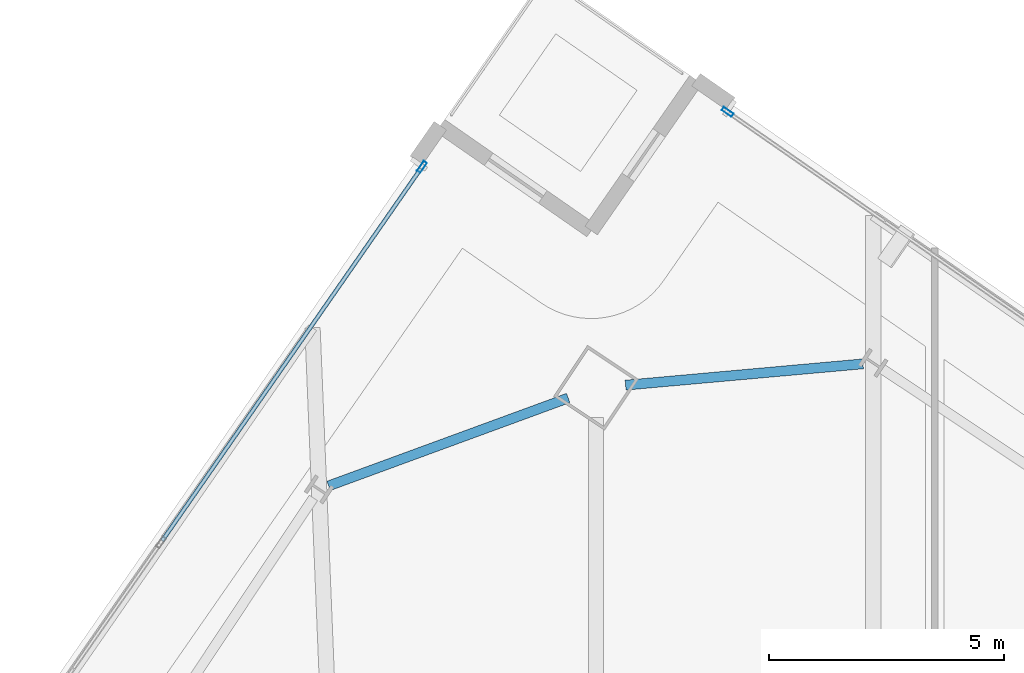
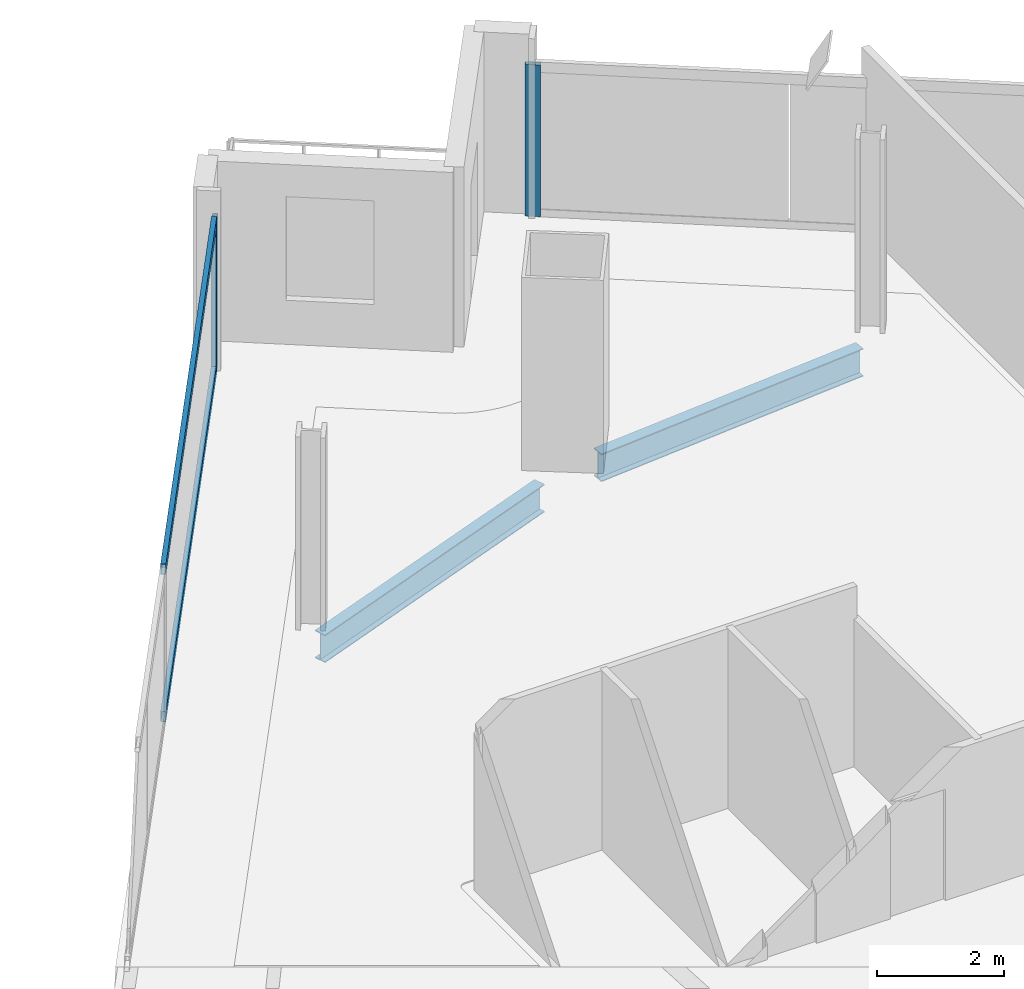
# One storey, part 16 of 30: 4 members, 2 beams, 2 elements without a shape of their own.
"""IFC4 building model written with IfcOpenShell, lengths in metres."""

from ifc_helpers import new_model, si_unit, direction, frame, origin, origin_2d, place, context, subcontext, project, spatial, hollow_rectangle, i_section, extrude, material, material_profile, profile_set, type_object, element, aggregate, save


model = new_model("IFC4")

# Units and contexts
model_context = context("Model", 3, precision=1e-05, world=origin(), true_north=direction((0.0, 1.0)))
body_context = subcontext(model_context, "Body", "Model", "MODEL_VIEW")
ifc_project = project(units=[si_unit("LENGTHUNIT", "METRE"), si_unit("AREAUNIT", "SQUARE_METRE"), si_unit("VOLUMEUNIT", "CUBIC_METRE"), si_unit("PLANEANGLEUNIT", "RADIAN"), si_unit("MASSUNIT", "GRAM", prefix="KILO")], contexts=[model_context])

# Site, building, storey
site_placement = place(None, origin())
site = spatial("IfcSite", under=ifc_project, at=site_placement, CompositionType="ELEMENT")
building_placement = place(site_placement, origin())
building = spatial("IfcBuilding", under=site, at=building_placement, Name="Haldenkirk Collegiate Tower", CompositionType="ELEMENT")
storey_placement = place(building_placement, frame((0.0, 0.0, 213.449951171875)))
storey = spatial("IfcBuildingStorey", under=building, at=storey_placement, Name="L53", CompositionType="ELEMENT", Elevation=213.449951171875)

# Beams
ifc_material_1 = material(Name="Steel ASTM A992 Grade 50", Category="steel")
ifc_material_profile_1 = material_profile(ifc_material_1, i_section(OverallWidth=0.2099609375, OverallDepth=0.537109375, WebThickness=0.010986328125, FlangeThickness=0.017333984375, at=origin_2d()), Name="W21X68")
ifc_profile_set_1 = profile_set([ifc_material_profile_1], Name="Steel ASTM A992 Grade 50")
beam_type = type_object("IfcBeamType", Name="BM-SPANDREL-W21X68", PredefinedType="SPANDREL", material=ifc_profile_set_1)
beam_1_placement = place(storey_placement, frame((37.9765625, 50.649169921875, -0.54833984375), z_axis=(-0.996001224794, -0.089339578066, 0.0), x_axis=(0.089339578066, -0.996001224794, 0.0)))
element("IfcBeam", 1, at=beam_1_placement, inside=storey, type_object=beam_type, Name="L53 perimeter spandrel beam 08", PredefinedType="SPANDREL", context=body_context, shape_type="SweptSolid", body=[
    extrude(i_section(OverallWidth=0.2099609375, OverallDepth=0.537109375, WebThickness=0.010986328125, FlangeThickness=0.017333984375, at=origin_2d()), origin(), (0.0, 0.0, 1.0), 5.06103515625),
])
beam_2_placement = place(storey_placement, frame((31.716796875, 49.923828125, -0.54833984375), z_axis=(-0.938842319963, -0.344347351153, 0.0), x_axis=(0.344347351153, -0.938842319963, 0.0)))
element("IfcBeam", 2, at=beam_2_placement, inside=storey, type_object=beam_type, Name="L53 perimeter spandrel beam 09", PredefinedType="SPANDREL", context=body_context, shape_type="SweptSolid", body=[
    extrude(i_section(OverallWidth=0.2099609375, OverallDepth=0.537109375, WebThickness=0.010986328125, FlangeThickness=0.017333984375, at=origin_2d()), origin(), (0.0, 0.0, 1.0), 5.416748046875),
])

# Curtain wall, member
ifc_material_2 = material(Name="Anodised architectural bronze aluminium", Category="aluminium")
curtain_wall_type = type_object("IfcCurtainWallType", Name="CW-SYS1B-CONVEX-HI", PredefinedType="USERDEFINED", material=ifc_material_2)
curtain_wall_1_placement = place(storey_placement, origin())
curtain_wall_1 = element("IfcCurtainWall", 3, at=curtain_wall_1_placement, inside=storey, type_object=curtain_wall_type, Name="L53 Upper tower high-wind convex bronze unitised curtain wall", ObjectType="UNITISED CURTAIN WALL", PredefinedType="USERDEFINED")
ifc_material_profile_2 = material_profile(ifc_material_2, hollow_rectangle(XDim=0.0849609375, YDim=0.25, WallThickness=0.0048828125, at=origin_2d()), Name="CW-MUL-1B")
ifc_profile_set_2 = profile_set([ifc_material_profile_2], Name="Anodised architectural bronze aluminium")
member_type_1 = type_object("IfcMemberType", Name="CW-MUL-1B", PredefinedType="MULLION", material=ifc_profile_set_2)
member_1_placement = place(storey_placement, frame((35.101806640625, 55.99755859375, 0.0), z_axis=(0.0, 0.0, 1.0), x_axis=(0.570713325478, 0.821149377472, 0.0)))
member_1 = element("IfcMember", 4, at=member_1_placement, type_object=member_type_1, Name="CW-1B mullion 1", PredefinedType="MULLION", context=body_context, shape_type="SweptSolid", body=[
    extrude(hollow_rectangle(XDim=0.0849609375, YDim=0.25, WallThickness=0.0048828125, at=origin_2d()), origin(), (0.0, 0.0, 1.0), 2.927978515625),
])
aggregate(curtain_wall_1, [member_1])

# Curtain wall, members
curtain_wall_2_placement = place(storey_placement, origin())
curtain_wall_2 = element("IfcCurtainWall", 5, at=curtain_wall_2_placement, inside=storey, type_object=curtain_wall_type, Name="L53 Upper tower high-wind convex bronze unitised curtain wall", ObjectType="UNITISED CURTAIN WALL", PredefinedType="USERDEFINED")
member_2_placement = place(storey_placement, frame((28.612548828125, 54.830078125, 0.0), z_axis=(0.0, 0.0, 1.0), x_axis=(-0.82114819766, 0.570715023002, 0.0)))
member_2 = element("IfcMember", 6, at=member_2_placement, type_object=member_type_1, Name="CW-1B mullion 5", PredefinedType="MULLION", context=body_context, shape_type="SweptSolid", body=[
    extrude(hollow_rectangle(XDim=0.0849609375, YDim=0.25, WallThickness=0.0048828125, at=origin_2d()), origin(), (0.0, 0.0, 1.0), 2.927978515625),
])
ifc_material_profile_3 = material_profile(ifc_material_2, hollow_rectangle(XDim=0.0849609375, YDim=0.199951171875, WallThickness=0.0048828125, at=origin_2d()), Name="CW-TRN-1B")
ifc_profile_set_3 = profile_set([ifc_material_profile_3], Name="Anodised architectural bronze aluminium")
member_type_2 = type_object("IfcMemberType", Name="CW-TRN-1B", PredefinedType="USERDEFINED", material=ifc_profile_set_3)
member_3_placement = place(storey_placement, frame((23.096435546875, 46.8935546875, 0.04248046875), z_axis=(0.570709102812, 0.821152312283, 0.0), x_axis=(-0.821152312283, 0.570709102812, 0.0)))
member_3 = element("IfcMember", 7, at=member_3_placement, type_object=member_type_2, Name="CW-1B transom 4.1", ObjectType="TRANSOM", PredefinedType="USERDEFINED", context=body_context, shape_type="SweptSolid", body=[
    extrude(hollow_rectangle(XDim=0.0849609375, YDim=0.199951171875, WallThickness=0.0048828125, at=origin_2d()), origin(), (0.0, 0.0, 1.0), 9.62255859375),
])
member_4_placement = place(storey_placement, frame((23.096435546875, 46.8935546875, 2.885498046875), z_axis=(0.570709102812, 0.821152312283, 0.0), x_axis=(-0.821152312283, 0.570709102812, 0.0)))
member_4 = element("IfcMember", 8, at=member_4_placement, type_object=member_type_2, Name="CW-1B transom 4.2", ObjectType="TRANSOM", PredefinedType="USERDEFINED", context=body_context, shape_type="SweptSolid", body=[
    extrude(hollow_rectangle(XDim=0.0849609375, YDim=0.199951171875, WallThickness=0.0048828125, at=origin_2d()), origin(), (0.0, 0.0, 1.0), 9.62255859375),
])
aggregate(curtain_wall_2, [member_2, member_3, member_4])

save(model, "model.ifc")
